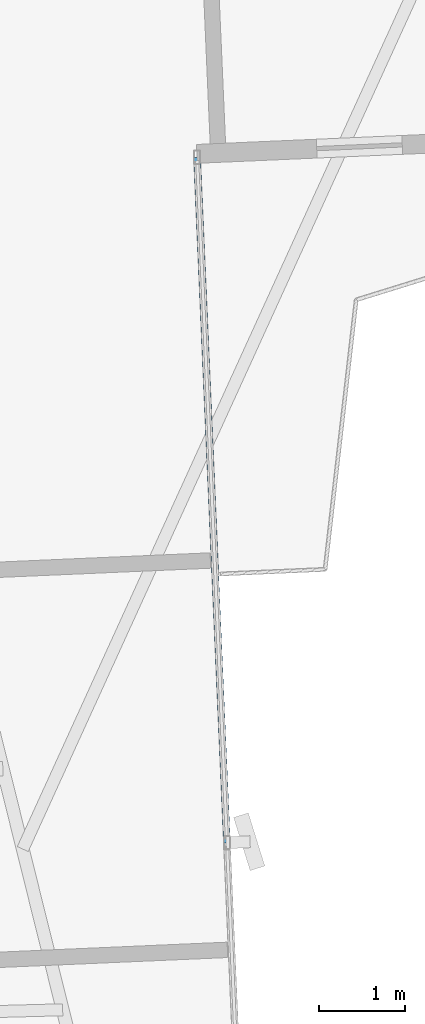
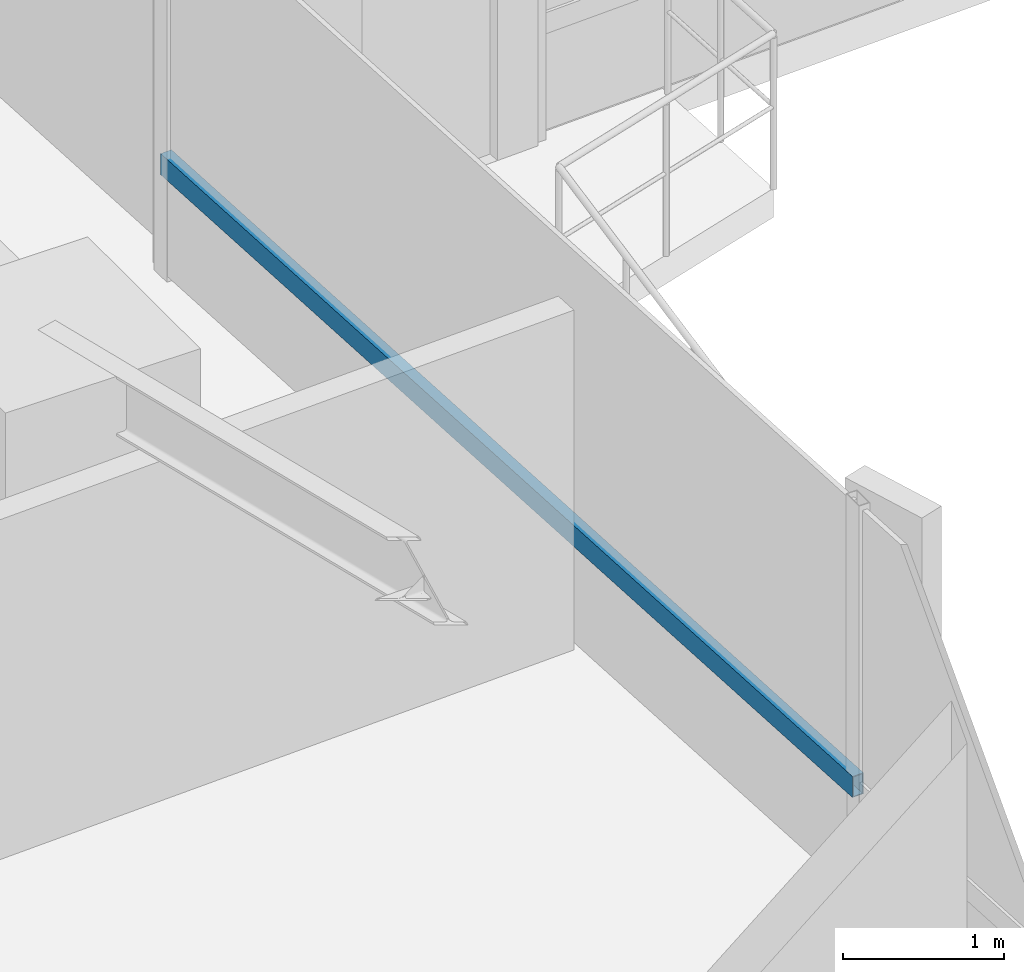
# One storey, part 7 of 26: 1 member, 1 element without a shape of its own.
"""IFC4 building model written with IfcOpenShell, lengths in metres."""

from ifc_helpers import new_model, si_unit, direction, frame, origin, origin_2d, place, context, subcontext, project, spatial, hollow_rectangle, extrude, source, transform, mapped, material, material_profile, profile_set, type_object, element, aggregate, save


model = new_model("IFC4")

# Units and contexts
model_context = context("Model", 3, precision=1e-05, world=origin(), true_north=direction((0.0, 1.0)))
body_context = subcontext(model_context, "Body", "Model", "MODEL_VIEW")
ifc_project = project(units=[si_unit("LENGTHUNIT", "METRE"), si_unit("AREAUNIT", "SQUARE_METRE"), si_unit("VOLUMEUNIT", "CUBIC_METRE"), si_unit("PLANEANGLEUNIT", "RADIAN"), si_unit("MASSUNIT", "GRAM", prefix="KILO")], contexts=[model_context])

# Site, building, storey
site_placement = place(None, origin())
site = spatial("IfcSite", under=ifc_project, at=site_placement, CompositionType="ELEMENT")
building_placement = place(site_placement, origin())
building = spatial("IfcBuilding", under=site, at=building_placement, Name="Sahyath Konkavel Grand Hotel", CompositionType="ELEMENT")
storey_placement = place(building_placement, frame((0.0, 0.0, 134.89990234375)))
storey = spatial("IfcBuildingStorey", under=building, at=storey_placement, Name="L37", CompositionType="ELEMENT", Elevation=134.89990234375)

# Curtain wall, member
ifc_material_1 = material(Name="Anodised Bronze Aluminium & Low-E Glazing", Category="aluminium")
curtain_wall_type = type_object("IfcCurtainWallType", Name="CW-ZONE2", PredefinedType="NOTDEFINED", material=ifc_material_1)
curtain_wall_placement = place(storey_placement, origin())
curtain_wall = element("IfcCurtainWall", 1, at=curtain_wall_placement, inside=storey, type_object=curtain_wall_type, Name="L37 Unitised Curtain Wall F31", PredefinedType="NOTDEFINED")
ifc_material_2 = material(Name="Anodised Bronze Aluminium", Category="aluminium")
ifc_material_profile = material_profile(ifc_material_2, hollow_rectangle(XDim=0.080078125, YDim=0.159912109375, WallThickness=0.006103515625, at=origin_2d()), Name="RHS 160x80x6")
ifc_profile_set = profile_set([ifc_material_profile], Name="Anodised Bronze Aluminium")
member_type = type_object("IfcMemberType", Name="CW-TRN-160", PredefinedType="USERDEFINED", material=ifc_profile_set)
shared_shape = source(origin(), body_context, "Body", "SweptSolid", [
    extrude(hollow_rectangle(XDim=0.080078125, YDim=0.159912109375, WallThickness=0.006103515625, at=origin_2d()), origin(), (0.0, 0.0, 1.0), 8.010009765625),
])
member_placement = place(storey_placement, frame((7.232666015625, -14.34814453125, 0.85009765625), z_axis=(-0.043615785896, 0.999048378819, 0.0), x_axis=(-0.999048378819, -0.043615785896, 0.0)))
member = element("IfcMember", 2, at=member_placement, type_object=member_type, Name="L37 Curtain Wall Transom F31-1-spandrel", ObjectType="TRANSOM", PredefinedType="USERDEFINED", context=body_context, shape_type="MappedRepresentation", body=[
    mapped(shared_shape, transform((0.0, 0.0, 0.0), scale=1.0)),
])
aggregate(curtain_wall, [member])

save(model, "model.ifc")
